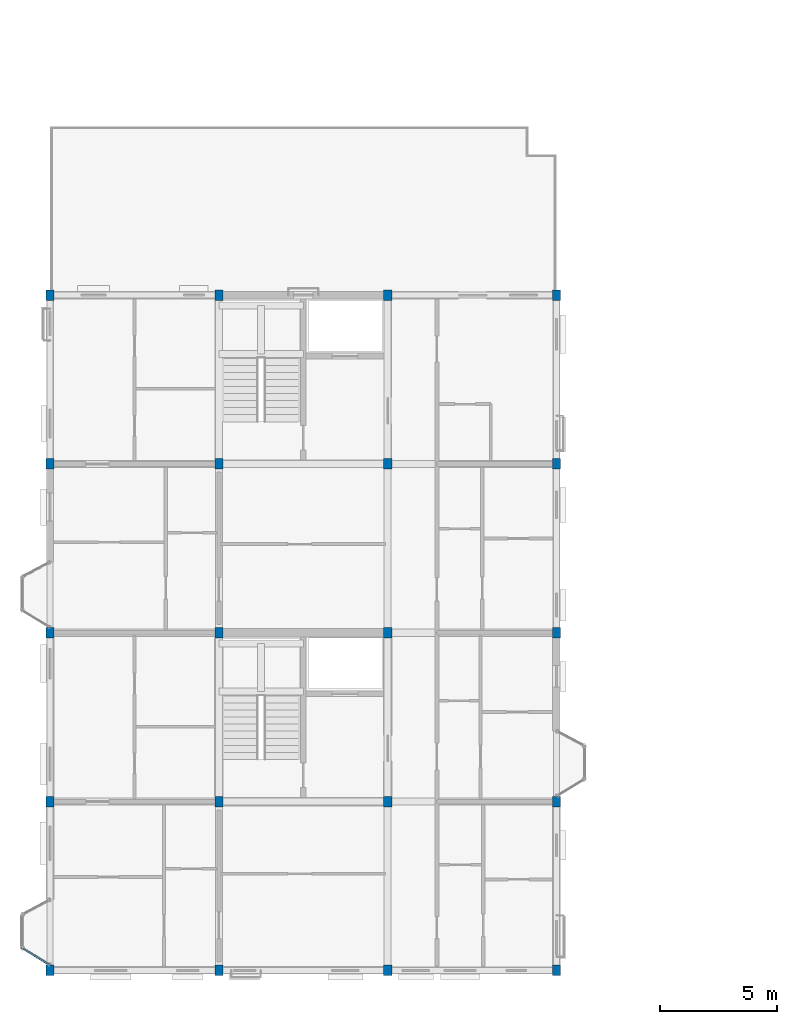
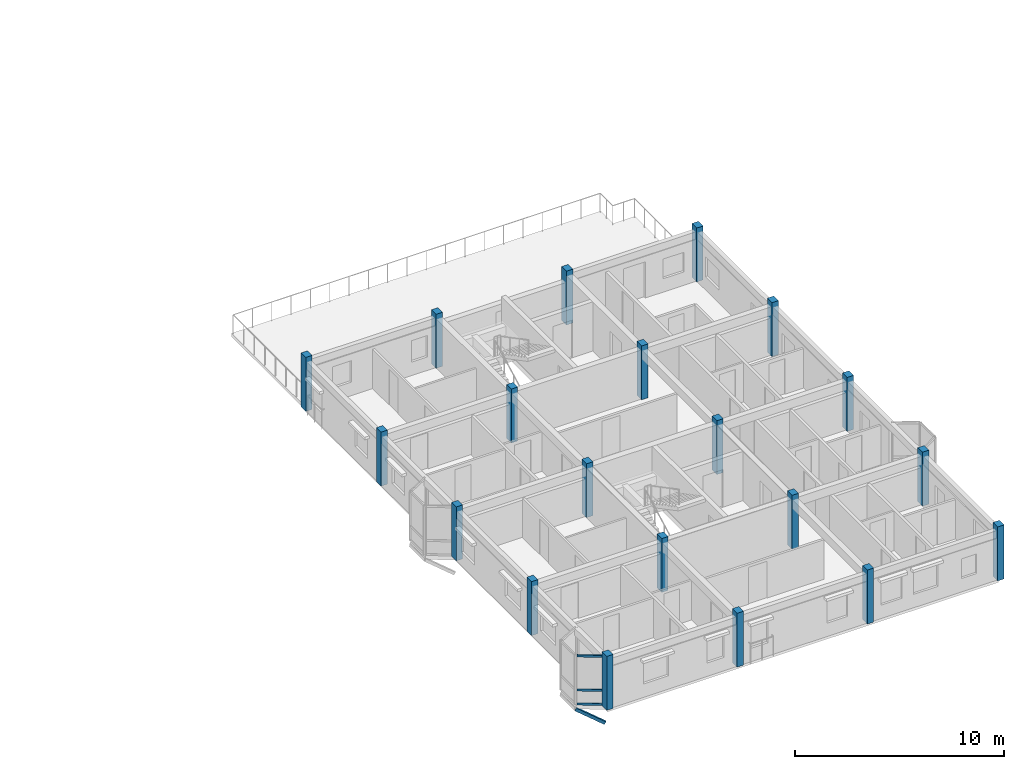
# One storey, part 1 of 22: 20 columns, 4 members, 1 element without a shape of its own.
"""IFC4 building model written with IfcOpenShell, lengths in metres."""

from ifc_helpers import new_model, si_unit, direction, frame, origin, origin_2d, place, context, subcontext, project, spatial, rectangle, hollow_rectangle, extrude, material, layer, layer_set, material_profile, profile_set, type_object, element, aggregate, save


model = new_model("IFC4")

# Units and contexts
model_context = context("Model", 3, precision=1e-05, world=origin(), true_north=direction((0.0, 1.0)))
body_context = subcontext(model_context, "Body", "Model", "MODEL_VIEW")
ifc_project = project(units=[si_unit("LENGTHUNIT", "METRE"), si_unit("AREAUNIT", "SQUARE_METRE"), si_unit("VOLUMEUNIT", "CUBIC_METRE"), si_unit("PLANEANGLEUNIT", "RADIAN"), si_unit("MASSUNIT", "GRAM", prefix="KILO"), si_unit("THERMODYNAMICTEMPERATUREUNIT", "KELVIN"), si_unit("POWERUNIT", "WATT")], contexts=[model_context])

# Site, building, storey
site_placement = place(None, origin())
site = spatial("IfcSite", under=ifc_project, at=site_placement, CompositionType="ELEMENT")
building_placement = place(site_placement, origin())
building = spatial("IfcBuilding", under=site, at=building_placement, Name="Tavuni Mirador Residences", CompositionType="ELEMENT")
storey_placement = place(building_placement, frame((0.0, 0.0, 45.449951171875)))
storey = spatial("IfcBuildingStorey", under=building, at=storey_placement, Name="L14", CompositionType="ELEMENT", Elevation=45.449951171875)

# Columns
ifc_material_1 = material(Name="Precast concrete C40/50", Category="concrete")
ifc_material_profile_1 = material_profile(ifc_material_1, rectangle(XDim=0.35009765625, YDim=0.449951171875, at=origin_2d()), Name="PC 350x450", Category="concrete")
ifc_profile_set_1 = profile_set([ifc_material_profile_1], Name="Precast concrete C40/50")
column_type = type_object("IfcColumnType", Name="CT-PC350X450", PredefinedType="COLUMN", material=ifc_profile_set_1)
for number, where, z_axis, x_axis, name in (
    (1, (3.60009765625, 7.199951171875, 0.0), (0.0, 0.0, 1.0), (1.0, 0.0, 0.0), "COL-BLK-A-L14-00-00"),
    (2, (3.60009765625, 14.39990234375, 0.0), (0.0, 0.0, 1.0), (1.0, 0.0, 0.0), "COL-BLK-A-L14-00-01"),
    (3, (3.60009765625, 21.60009765625, 0.0), (0.0, 0.0, 1.0), (1.0, 0.0, 0.0), "COL-BLK-A-L14-00-02"),
    (4, (3.60009765625, 28.800048828125, 0.0), (0.0, 0.0, 1.0), (1.0, 0.0, 0.0), "COL-BLK-A-L14-00-03"),
    (5, (3.60009765625, 36.0, 0.0), (0.0, 0.0, 1.0), (1.0, 0.0, 0.0), "COL-BLK-A-L14-00-04"),
    (6, (10.800048828125, 7.199951171875, 0.0), (0.0, 0.0, 1.0), (1.0, 0.0, 0.0), "COL-BLK-A-L14-01-00"),
    (7, (10.800048828125, 14.39990234375, 0.0), (0.0, 0.0, 1.0), (1.0, 0.0, 0.0), "COL-BLK-A-L14-01-01"),
    (8, (10.800048828125, 21.60009765625, 0.0), (0.0, 0.0, 1.0), (1.0, 0.0, 0.0), "COL-BLK-A-L14-01-02"),
    (9, (10.800048828125, 28.800048828125, 0.0), (0.0, 0.0, 1.0), (1.0, 0.0, 0.0), "COL-BLK-A-L14-01-03"),
    (10, (10.800048828125, 36.0, 0.0), (0.0, 0.0, 1.0), (1.0, 0.0, 0.0), "COL-BLK-A-L14-01-04"),
    (11, (18.0, 7.199951171875, 0.0), (0.0, 0.0, 1.0), (1.0, 0.0, 0.0), "COL-BLK-A-L14-02-00"),
    (12, (18.0, 14.39990234375, 0.0), (0.0, 0.0, 1.0), (1.0, 0.0, 0.0), "COL-BLK-A-L14-02-01"),
    (13, (18.0, 21.60009765625, 0.0), (0.0, 0.0, 1.0), (1.0, 0.0, 0.0), "COL-BLK-A-L14-02-02"),
    (14, (18.0, 28.800048828125, 0.0), (0.0, 0.0, 1.0), (1.0, 0.0, 0.0), "COL-BLK-A-L14-02-03"),
    (15, (18.0, 36.0, 0.0), (0.0, 0.0, 1.0), (1.0, 0.0, 0.0), "COL-BLK-A-L14-02-04"),
    (16, (25.199951171875, 7.199951171875, 0.0), (0.0, 0.0, 1.0), (1.0, 0.0, 0.0), "COL-BLK-A-L14-03-00"),
    (17, (25.199951171875, 14.39990234375, 0.0), (0.0, 0.0, 1.0), (1.0, 0.0, 0.0), "COL-BLK-A-L14-03-01"),
    (18, (25.199951171875, 21.60009765625, 0.0), (0.0, 0.0, 1.0), (1.0, 0.0, 0.0), "COL-BLK-A-L14-03-02"),
    (19, (25.199951171875, 28.800048828125, 0.0), (0.0, 0.0, 1.0), (1.0, 0.0, 0.0), "COL-BLK-A-L14-03-03"),
    (20, (25.199951171875, 36.0, 0.0), (0.0, 0.0, 1.0), (1.0, 0.0, 0.0), "COL-BLK-A-L14-03-04"),
):
    element("IfcColumn", number, at=place(storey_placement, frame(where, z_axis=z_axis, x_axis=x_axis)), inside=storey, type_object=column_type, Name=name, PredefinedType="COLUMN", context=body_context, shape_type="SweptSolid", body=[
        extrude(rectangle(XDim=0.35009765625, YDim=0.449951171875, at=origin_2d()), origin(), (0.0, 0.0, 1.0), 3.150146484375),
    ])

# Curtain wall, members
ifc_material_2 = material(Name="Anodised aluminium", Category="aluminium")
ifc_layer = layer(ifc_material_2, 0.159912109375, Name="Anodised aluminium", Category="aluminium")
ifc_layer_set = layer_set([ifc_layer], Name="Anodised aluminium")
curtain_wall_type = type_object("IfcCurtainWallType", Name="CWT-MIR-D", PredefinedType="NOTDEFINED", material=ifc_layer_set)
curtain_wall_placement = place(storey_placement, origin())
curtain_wall = element("IfcCurtainWall", 21, at=curtain_wall_placement, inside=storey, type_object=curtain_wall_type, Name="CW-MIR-A-W1-L14-M2", PredefinedType="NOTDEFINED")
ifc_material_profile_2 = material_profile(ifc_material_2, hollow_rectangle(XDim=0.06494140625, YDim=0.125, WallThickness=0.00439453125, at=origin_2d()), Name="ALU 65x125x4.5", Category="aluminium")
ifc_profile_set_2 = profile_set([ifc_material_profile_2], Name="Anodised aluminium")
member_type_1 = type_object("IfcMemberType", Name="CWT-125", PredefinedType="USERDEFINED", material=ifc_profile_set_2)
member_1_placement = place(storey_placement, frame((2.455322265625, 8.1259765625, 0.032470703125), z_axis=(0.852837407371, -0.522176556911, 0.0), x_axis=(0.522176556911, 0.852837407371, 0.0)))
member_1 = element("IfcMember", 22, at=member_1_placement, type_object=member_type_1, Name="CW-04 transom 1.1", ObjectType="TRANSOM", PredefinedType="USERDEFINED", context=body_context, shape_type="SweptSolid", body=[
    extrude(hollow_rectangle(XDim=0.06494140625, YDim=0.125, WallThickness=0.00439453125, at=origin_2d()), origin(), (0.0, 0.0, 1.0), 1.27734375),
])
member_2_placement = place(storey_placement, frame((2.455322265625, 8.1259765625, 0.85009765625), z_axis=(0.852837407371, -0.522176556911, 0.0), x_axis=(0.522176556911, 0.852837407371, 0.0)))
member_2 = element("IfcMember", 23, at=member_2_placement, type_object=member_type_1, Name="CW-04 transom 1.2", ObjectType="TRANSOM", PredefinedType="USERDEFINED", context=body_context, shape_type="SweptSolid", body=[
    extrude(hollow_rectangle(XDim=0.06494140625, YDim=0.125, WallThickness=0.00439453125, at=origin_2d()), origin(), (0.0, 0.0, 1.0), 1.27734375),
])
member_3_placement = place(storey_placement, frame((2.455322265625, 8.1259765625, 2.837646484375), z_axis=(0.852837407371, -0.522176556911, 0.0), x_axis=(0.522176556911, 0.852837407371, 0.0)))
member_3 = element("IfcMember", 24, at=member_3_placement, type_object=member_type_1, Name="CW-04 transom 1.3", ObjectType="TRANSOM", PredefinedType="USERDEFINED", context=body_context, shape_type="SweptSolid", body=[
    extrude(hollow_rectangle(XDim=0.06494140625, YDim=0.125, WallThickness=0.00439453125, at=origin_2d()), origin(), (0.0, 0.0, 1.0), 1.27734375),
])
aggregate(curtain_wall, [member_1, member_2, member_3])

# Member
ifc_material_3 = material(Name="Structural steel S355", Category="steel")
ifc_material_profile_3 = material_profile(ifc_material_3, hollow_rectangle(XDim=0.10009765625, YDim=0.179931640625, WallThickness=0.008056640625, at=origin_2d()), Name="RHS 180x100x8.0", Category="steel")
ifc_profile_set_3 = profile_set([ifc_material_profile_3], Name="Structural steel S355")
member_type_2 = type_object("IfcMemberType", Name="MT-BR-RHS180", PredefinedType="BRACE", material=ifc_profile_set_3)
member_4_placement = place(storey_placement, frame((3.60009765625, 7.425048828125, -1.050048828125), z_axis=(-0.748163203753, 0.458090163405, 0.480005440325), x_axis=(-0.522179610986, -0.852835537411, 0.0)))
element("IfcMember", 25, at=member_4_placement, inside=storey, type_object=member_type_2, Name="MBRK-MIR-A-W1-L14-1", PredefinedType="BRACE", context=body_context, shape_type="SweptSolid", body=[
    extrude(hollow_rectangle(XDim=0.10009765625, YDim=0.179931640625, WallThickness=0.008056640625, at=origin_2d()), origin(), (0.0, 0.0, 1.0), 1.604248046875),
])

save(model, "model.ifc")
